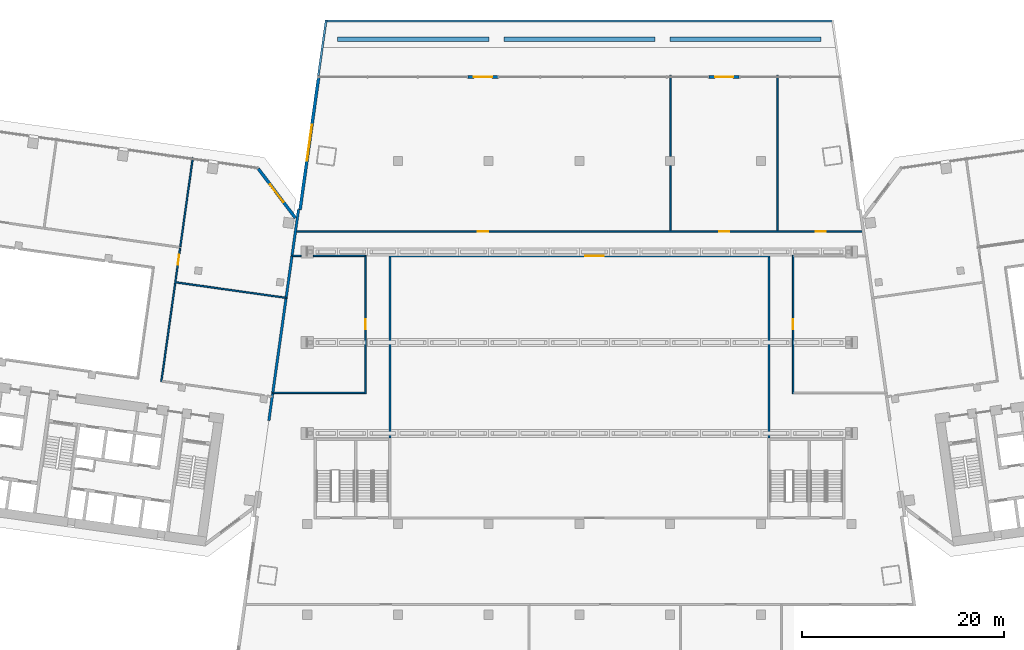
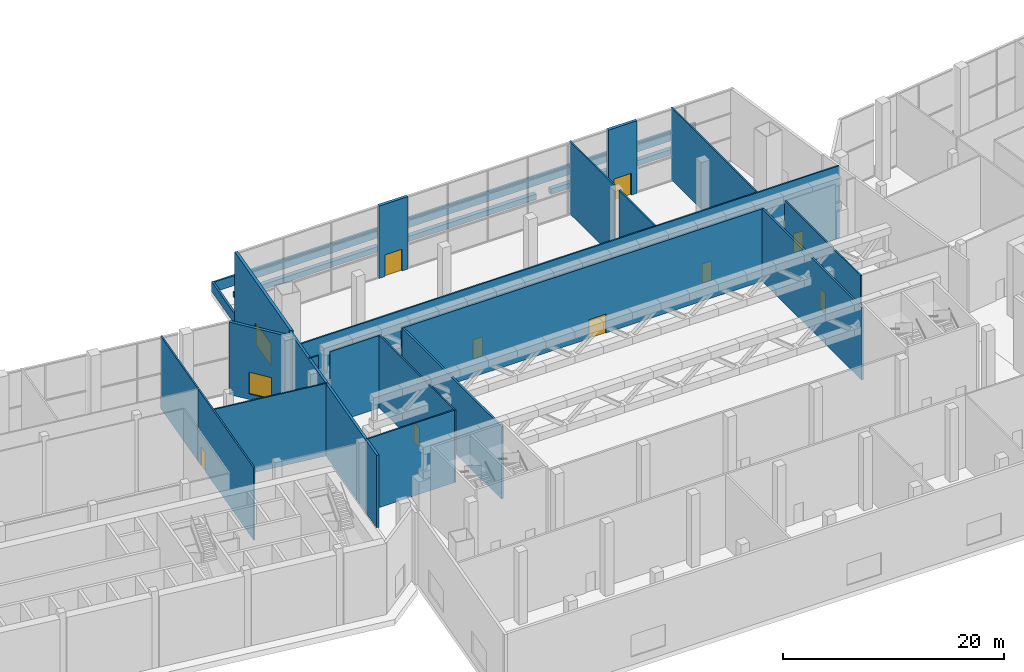
# One storey, part 21 of 31: 25 walls, 9 doors, 2 windows, 11 openings.
"""IFC4 building model written with IfcOpenShell, lengths in metres."""

import ifcopenshell
import ifcopenshell.guid

model = None  # the IFC model being written
_history = None  # IfcOwnerHistory: only IFC2X3 demands one
_inside = {}  # id of a spatial element -> (the spatial element, [elements in it])
_under = {}  # id of a project, library or spatial element -> (it, [spatial elements below it])
_declared = {}  # id of a project -> (the project, [libraries it declares])
_typed = {}  # id of a type object -> (the type object, [elements of that type])
_made_of = {}  # id of a material, layer set ... -> (it, [elements and type objects made of it])


def new_model(schema):
    """Start an empty IFC model of exactly this schema.

    Asked for "IFC4X3", IfcOpenShell would pick the latest addendum, in which some entities
    have other attributes; the version numbers below select the first issue.
    IFC2X3 requires an IfcOwnerHistory on every rooted entity: one is made here for all.
    """
    global model, _history
    if schema == "IFC4X3":
        model = ifcopenshell.file(schema_version=(4, 3, 0, 0))
    else:
        model = ifcopenshell.file(schema=schema)
    _inside.clear()
    _under.clear()
    _declared.clear()
    _typed.clear()
    _made_of.clear()
    _history = None
    if model.schema == "IFC2X3":
        org = make("IfcOrganization", Name="unknown")
        user = make(
            "IfcPersonAndOrganization",
            ThePerson=make("IfcPerson", FamilyName="unknown"),
            TheOrganization=org,
        )
        app = make(
            "IfcApplication",
            ApplicationDeveloper=org,
            Version="unknown",
            ApplicationFullName="unknown",
            ApplicationIdentifier="unknown",
        )
        _history = make(
            "IfcOwnerHistory",
            OwningUser=user,
            OwningApplication=app,
            ChangeAction="ADDED",
            CreationDate=0,
        )
    return model


def make(cls, **values):
    """One entity of the class cls with the attributes given. An attribute that is None is left unset."""
    return model.create_entity(
        cls, **{name: value for name, value in values.items() if value is not None}
    )


def rooted(cls, **values):
    """An entity with a GlobalId (a new one), such as an element, a storey or a relation."""
    return make(cls, GlobalId=ifcopenshell.guid.new(), OwnerHistory=_history, **values)


def si_unit(unit_type, name, prefix=None):
    """IfcSIUnit, for example si_unit("LENGTHUNIT", "METRE", prefix="MILLI")."""
    return make("IfcSIUnit", UnitType=unit_type, Prefix=prefix, Name=name)


def assignment(units):
    """IfcUnitAssignment: the units of a project."""
    return None if units is None else make("IfcUnitAssignment", Units=units)


def point(xyz):
    """IfcCartesianPoint."""
    return None if xyz is None else make("IfcCartesianPoint", Coordinates=xyz)


def direction(xyz):
    """IfcDirection."""
    return None if xyz is None else make("IfcDirection", DirectionRatios=xyz)


def frame(location, z_axis=None, x_axis=None):
    """IfcAxis2Placement3D, a coordinate frame: its origin and axes. An axis left out is left unset."""
    return make(
        "IfcAxis2Placement3D",
        Location=point(location),
        Axis=direction(z_axis),
        RefDirection=direction(x_axis),
    )


def frame_2d(location, x_axis=None):
    """IfcAxis2Placement2D, a coordinate frame in the plane: its origin and x axis."""
    return make(
        "IfcAxis2Placement2D", Location=point(location), RefDirection=direction(x_axis)
    )


def origin():
    """The frame at (0, 0, 0) with its axes left unset."""
    return frame((0.0, 0.0, 0.0))


def place(relative_to, where):
    """IfcLocalPlacement: puts the frame where relative to a parent placement (None: the world)."""
    return make(
        "IfcLocalPlacement", PlacementRelTo=relative_to, RelativePlacement=where
    )


def context(
    kind, dimensions, precision=None, world=None, true_north=None, identifier=None
):
    """IfcGeometricRepresentationContext, for example the 3D "Model" context."""
    return make(
        "IfcGeometricRepresentationContext",
        ContextIdentifier=identifier,
        ContextType=kind,
        CoordinateSpaceDimension=dimensions,
        Precision=precision,
        WorldCoordinateSystem=world,
        TrueNorth=true_north,
    )


def subcontext(parent, identifier, kind, view, scale=None):
    """IfcGeometricRepresentationSubContext, for example "Body" below "Model"."""
    return make(
        "IfcGeometricRepresentationSubContext",
        ContextIdentifier=identifier,
        ContextType=kind,
        ParentContext=parent,
        TargetScale=scale,
        TargetView=view,
    )


def project(units=None, contexts=None):
    """IfcProject with its units and contexts."""
    return rooted(
        "IfcProject",
        Name="project",
        RepresentationContexts=contexts,
        UnitsInContext=assignment(units),
    )


def spatial(cls, under=None, at=None, **own):
    """A site, building, storey or space (cls), placed at a placement, below another one or the project."""
    s = rooted(cls, ObjectPlacement=at, **own)
    if under is not None:
        _under.setdefault(under.id(), (under, []))[1].append(s)
    return s


def profile(cls, at=None, kind="AREA", **sizes):
    """A parametric profile (cls). Its sizes go by their IFC names, for example OverallWidth=200.0."""
    return make(cls, ProfileType=kind, Position=at, **sizes)


def rectangle(**sizes):
    """IfcRectangleProfileDef."""
    return profile("IfcRectangleProfileDef", **sizes)


def extrude(swept, where, along, depth):
    """IfcExtrudedAreaSolid: the profile swept, set in the frame where, extruded along a direction by depth."""
    return make(
        "IfcExtrudedAreaSolid",
        SweptArea=swept,
        Position=where,
        ExtrudedDirection=direction(along),
        Depth=depth,
    )


def shape(context_of_items, identifier, shape_type, items):
    """IfcShapeRepresentation: the items that make up one representation, for example the "Body"."""
    return make(
        "IfcShapeRepresentation",
        ContextOfItems=context_of_items,
        RepresentationIdentifier=identifier,
        RepresentationType=shape_type,
        Items=items,
    )


def material(Name=None, Category=None):
    """IfcMaterial."""
    return make("IfcMaterial", Name=Name, Category=Category)


def layer(
    of_material, thickness, ventilated=None, Name=None, Category=None, Priority=None
):
    """IfcMaterialLayer: one layer of a wall or slab, of a material (None: an air gap)."""
    return make(
        "IfcMaterialLayer",
        Material=of_material,
        LayerThickness=thickness,
        IsVentilated=ventilated,
        Name=Name,
        Category=Category,
        Priority=Priority,
    )


def layer_set(layers, Name=None):
    """IfcMaterialLayerSet."""
    return make("IfcMaterialLayerSet", MaterialLayers=layers, LayerSetName=Name)


def made_of(thing, what):
    """Note that an element or type object is made of a material, layer set ...; save() writes the relation."""
    if what is not None:
        _made_of.setdefault(what.id(), (what, []))[1].append(thing)
    return thing


def type_object(cls, material=None, **own):
    """A type object (cls), such as IfcWallType, which elements share."""
    return made_of(rooted(cls, **own), material)


def element(
    cls,
    number,
    at=None,
    inside=None,
    cuts=None,
    type_object=None,
    material=None,
    context=None,
    identifier="Body",
    shape_type=None,
    held_by="IfcProductDefinitionShape",
    body=None,
    shapes=None,
    **own,
):
    """One element of the class cls, such as IfcWall. Its Tag is "e" and its number.

    at: its placement. inside: the storey or other place that contains it. cuts: it is an
    opening in that element (IfcRelVoidsElement). A single representation is given by context,
    identifier, shape_type and body (its items); several are given by shapes. held_by: the class
    of the entity that holds the representations. save() writes the other relations.
    """
    e = rooted(cls, Tag="e%d" % number, ObjectPlacement=at, **own)
    if body is not None:
        shapes = [shape(context, identifier, shape_type, body)]
    if shapes is not None:
        e.Representation = make(held_by, Representations=shapes)
    if inside is not None:
        _inside.setdefault(inside.id(), (inside, []))[1].append(e)
    if cuts is not None:
        rooted(
            "IfcRelVoidsElement", RelatingBuildingElement=cuts, RelatedOpeningElement=e
        )
    if type_object is not None:
        _typed.setdefault(type_object.id(), (type_object, []))[1].append(e)
    return made_of(e, material)


def fill(opening, filler):
    """IfcRelFillsElement: the door or window that sits in an opening."""
    return rooted(
        "IfcRelFillsElement",
        RelatingOpeningElement=opening,
        RelatedBuildingElement=filler,
    )


def aggregate(whole, parts):
    """IfcRelAggregates: a whole, such as a stair, and the parts it consists of."""
    return rooted("IfcRelAggregates", RelatingObject=whole, RelatedObjects=parts)


def save(model, path):
    """Write the relations noted so far, then the file.

    IfcRelAggregates (storeys below a building ...), IfcRelContainedInSpatialStructure (elements
    in a storey), IfcRelDefinesByType, IfcRelAssociatesMaterial and IfcRelDeclares: one each for
    every whole, place, type object, material and project.
    """
    for whole, parts in _under.values():
        aggregate(whole, parts)
    for where, things in _inside.values():
        rooted(
            "IfcRelContainedInSpatialStructure",
            RelatedElements=things,
            RelatingStructure=where,
        )
    for kind, things in _typed.values():
        rooted("IfcRelDefinesByType", RelatedObjects=things, RelatingType=kind)
    for what, things in _made_of.values():
        rooted("IfcRelAssociatesMaterial", RelatedObjects=things, RelatingMaterial=what)
    for by, libraries in _declared.values():
        rooted("IfcRelDeclares", RelatingContext=by, RelatedDefinitions=libraries)
    model.write(path)


model = new_model("IFC4")

# Units and contexts
model_context = context("Model", 3, precision=1e-05, world=origin(), true_north=direction((0.0, 1.0)))
body_context = subcontext(model_context, "Body", "Model", "MODEL_VIEW")
ifc_project = project(units=[si_unit("LENGTHUNIT", "METRE"), si_unit("AREAUNIT", "SQUARE_METRE"), si_unit("VOLUMEUNIT", "CUBIC_METRE"), si_unit("PLANEANGLEUNIT", "RADIAN"), si_unit("MASSUNIT", "GRAM", prefix="KILO")], contexts=[model_context])

# Site, building, storey
site_placement = place(None, origin())
site = spatial("IfcSite", under=ifc_project, at=site_placement, CompositionType="ELEMENT")
building_placement = place(site_placement, origin())
building = spatial("IfcBuilding", under=site, at=building_placement, Name="Mirante Cascada Hotel Towers", CompositionType="ELEMENT")
storey_placement = place(building_placement, frame((0.0, 0.0, 9.0)))
storey = spatial("IfcBuildingStorey", under=building, at=storey_placement, Name="L01", CompositionType="ELEMENT", Elevation=9.0)

# Walls
ifc_material_1 = material(Name="Masonry block", Category="masonry")
ifc_layer_1 = layer(ifc_material_1, 0.15)
ifc_layer_set_1 = layer_set([ifc_layer_1], Name="Corridor wall 150 block")
wall_type_1 = type_object("IfcWallType", Name="Corridor wall 150 block", PredefinedType="PARTITIONING", material=ifc_layer_set_1)
wall_1_placement = place(storey_placement, frame((-30.4216, -5.0, 0.0), z_axis=(0.0, 0.0, 1.0), x_axis=(1.0, 0.0, 0.0)))
element("IfcWall", 1, at=wall_1_placement, inside=storey, type_object=wall_type_1, Name="Corridor wall P L01", PredefinedType="PARTITIONING", context=body_context, shape_type="SweptSolid", body=[
    extrude(rectangle(XDim=9.1466, YDim=0.15, at=frame_2d((4.5733, 0.0))), origin(), (0.0, 0.0, 1.0), 8.0),
])
wall_2_placement = place(storey_placement, frame((-28.5103, 8.6, 0.0), z_axis=(0.0, 0.0, 1.0), x_axis=(1.0, 0.0, 0.0)))
element("IfcWall", 2, at=wall_2_placement, inside=storey, type_object=wall_type_1, Name="Corridor wall P L01", PredefinedType="PARTITIONING", context=body_context, shape_type="SweptSolid", body=[
    extrude(rectangle(XDim=0.9103, YDim=0.15, at=frame_2d((0.4552, 0.0))), origin(), (0.0, 0.0, 1.0), 8.0),
])

# Wall, openings, doors
wall_3_placement = place(storey_placement, frame((-28.173, 11.0, 0.0), z_axis=(0.0, 0.0, 1.0), x_axis=(1.0, 0.0, 0.0)))
wall_3 = element("IfcWall", 3, at=wall_3_placement, inside=storey, type_object=wall_type_1, Name="Corridor wall P L01", PredefinedType="PARTITIONING", context=body_context, shape_type="SweptSolid", body=[
    extrude(rectangle(XDim=56.346, YDim=0.15, at=frame_2d((28.173, 0.0))), origin(), (0.0, 0.0, 1.0), 8.0),
])
opening_1_placement = place(wall_3_placement, frame((18.1048, 0.0, 0.0)))
opening_1 = element("IfcOpeningElement", 4, at=opening_1_placement, cuts=wall_3, Name="Opening DP-L01-13", PredefinedType="OPENING", context=body_context, shape_type="SweptSolid", body=[
    extrude(rectangle(XDim=1.0, YDim=2.1, at=frame_2d((0.5, 1.05))), frame((0.0, 0.075, 0.0), z_axis=(0.0, -1.0, 0.0), x_axis=(1.0, 0.0, 0.0)), (0.0, 0.0, 1.0), 0.15),
])
opening_2_placement = place(wall_3_placement, frame((42.0252, 0.0, 0.0)))
opening_2 = element("IfcOpeningElement", 5, at=opening_2_placement, cuts=wall_3, Name="Opening DP-L01-14", PredefinedType="OPENING", context=body_context, shape_type="SweptSolid", body=[
    extrude(rectangle(XDim=1.0, YDim=2.1, at=frame_2d((0.5, 1.05))), frame((0.0, 0.075, 0.0), z_axis=(0.0, -1.0, 0.0), x_axis=(1.0, 0.0, 0.0)), (0.0, 0.0, 1.0), 0.15),
])
opening_3_placement = place(wall_3_placement, frame((51.5934, 0.0, 0.0)))
opening_3 = element("IfcOpeningElement", 6, at=opening_3_placement, cuts=wall_3, Name="Opening DP-L01-15", PredefinedType="OPENING", context=body_context, shape_type="SweptSolid", body=[
    extrude(rectangle(XDim=1.0, YDim=2.1, at=frame_2d((0.5, 1.05))), frame((0.0, 0.075, 0.0), z_axis=(0.0, -1.0, 0.0), x_axis=(1.0, 0.0, 0.0)), (0.0, 0.0, 1.0), 0.15),
])
ifc_material_2 = material(Name="Timber door leaf", Category="wood")
door_type_1 = type_object("IfcDoorType", Name="Single door 1000x2100", OperationType="NOTDEFINED", PredefinedType="DOOR", material=ifc_material_2)
door_1_placement = place(opening_1_placement, frame((1.0, 0.0, 0.0), z_axis=(0.0, 0.0, 1.0), x_axis=(-1.0, 0.0, 0.0)))
door_1 = element("IfcDoor", 7, at=door_1_placement, inside=storey, type_object=door_type_1, Name="Door DP-L01-13", OperationType="SINGLE_SWING_LEFT", OverallHeight=2.1, OverallWidth=1.0, PredefinedType="DOOR", context=body_context, shape_type="SweptSolid", body=[
    extrude(rectangle(XDim=1.0, YDim=2.1, at=frame_2d((0.5, 1.05))), frame((0.0, 0.025, 0.0), z_axis=(0.0, -1.0, 0.0), x_axis=(1.0, 0.0, 0.0)), (0.0, 0.0, 1.0), 0.05),
])
fill(opening_1, door_1)
door_2_placement = place(opening_2_placement, origin())
door_2 = element("IfcDoor", 8, at=door_2_placement, inside=storey, type_object=door_type_1, Name="Door DP-L01-14", OperationType="SINGLE_SWING_RIGHT", OverallHeight=2.1, OverallWidth=1.0, PredefinedType="DOOR", context=body_context, shape_type="SweptSolid", body=[
    extrude(rectangle(XDim=1.0, YDim=2.1, at=frame_2d((0.5, 1.05))), frame((0.0, 0.025, 0.0), z_axis=(0.0, -1.0, 0.0), x_axis=(1.0, 0.0, 0.0)), (0.0, 0.0, 1.0), 0.05),
])
fill(opening_2, door_2)
door_3_placement = place(opening_3_placement, origin())
door_3 = element("IfcDoor", 9, at=door_3_placement, inside=storey, type_object=door_type_1, Name="Door DP-L01-15", OperationType="SINGLE_SWING_LEFT", OverallHeight=2.1, OverallWidth=1.0, PredefinedType="DOOR", context=body_context, shape_type="SweptSolid", body=[
    extrude(rectangle(XDim=1.0, YDim=2.1, at=frame_2d((0.5, 1.05))), frame((0.0, 0.025, 0.0), z_axis=(0.0, -1.0, 0.0), x_axis=(1.0, 0.0, 0.0)), (0.0, 0.0, 1.0), 0.05),
])
fill(opening_3, door_3)

# Wall, opening, door
wall_4_placement = place(storey_placement, frame((21.2, -5.085, 0.0), z_axis=(0.0, 0.0, 1.0), x_axis=(0.0, 1.0, 0.0)))
wall_4 = element("IfcWall", 10, at=wall_4_placement, inside=storey, type_object=wall_type_1, Name="Corridor wall P L01", PredefinedType="PARTITIONING", context=body_context, shape_type="SweptSolid", body=[
    extrude(rectangle(XDim=13.76, YDim=0.15, at=frame_2d((6.88, 0.0))), origin(), (0.0, 0.0, 1.0), 8.0),
])
opening_4_placement = place(wall_4_placement, frame((6.385, 0.0, 0.0)))
opening_4 = element("IfcOpeningElement", 11, at=opening_4_placement, cuts=wall_4, Name="Opening DP-L01-08", PredefinedType="OPENING", context=body_context, shape_type="SweptSolid", body=[
    extrude(rectangle(XDim=1.0, YDim=2.1, at=frame_2d((0.5, 1.05))), frame((0.0, 0.075, 0.0), z_axis=(0.0, -1.0, 0.0), x_axis=(1.0, 0.0, 0.0)), (0.0, 0.0, 1.0), 0.15),
])
door_4_placement = place(opening_4_placement, frame((1.0, 0.0, 0.0), z_axis=(0.0, 0.0, 1.0), x_axis=(-1.0, 0.0, 0.0)))
door_4 = element("IfcDoor", 12, at=door_4_placement, inside=storey, type_object=door_type_1, Name="Door DP-L01-08", OperationType="SINGLE_SWING_RIGHT", OverallHeight=2.1, OverallWidth=1.0, PredefinedType="DOOR", context=body_context, shape_type="SweptSolid", body=[
    extrude(rectangle(XDim=1.0, YDim=2.1, at=frame_2d((0.5, 1.05))), frame((0.0, 0.025, 0.0), z_axis=(0.0, -1.0, 0.0), x_axis=(1.0, 0.0, 0.0)), (0.0, 0.0, 1.0), 0.05),
])
fill(opening_4, door_4)

wall_5_placement = place(storey_placement, frame((-21.2, -5.085, 0.0), z_axis=(0.0, 0.0, 1.0), x_axis=(0.0, 1.0, 0.0)))
wall_5 = element("IfcWall", 13, at=wall_5_placement, inside=storey, type_object=wall_type_1, Name="Corridor wall P L01", PredefinedType="PARTITIONING", context=body_context, shape_type="SweptSolid", body=[
    extrude(rectangle(XDim=13.76, YDim=0.15, at=frame_2d((6.88, 0.0))), origin(), (0.0, 0.0, 1.0), 8.0),
])
opening_5_placement = place(wall_5_placement, frame((6.385, 0.0, 0.0)))
opening_5 = element("IfcOpeningElement", 14, at=opening_5_placement, cuts=wall_5, Name="Opening DP-L01-07", PredefinedType="OPENING", context=body_context, shape_type="SweptSolid", body=[
    extrude(rectangle(XDim=1.0, YDim=2.1, at=frame_2d((0.5, 1.05))), frame((0.0, 0.075, 0.0), z_axis=(0.0, -1.0, 0.0), x_axis=(1.0, 0.0, 0.0)), (0.0, 0.0, 1.0), 0.15),
])
door_5_placement = place(opening_5_placement, origin())
door_5 = element("IfcDoor", 15, at=door_5_placement, inside=storey, type_object=door_type_1, Name="Door DP-L01-07", OperationType="SINGLE_SWING_LEFT", OverallHeight=2.1, OverallWidth=1.0, PredefinedType="DOOR", context=body_context, shape_type="SweptSolid", body=[
    extrude(rectangle(XDim=1.0, YDim=2.1, at=frame_2d((0.5, 1.05))), frame((0.0, 0.025, 0.0), z_axis=(0.0, -1.0, 0.0), x_axis=(1.0, 0.0, 0.0)), (0.0, 0.0, 1.0), 0.05),
])
fill(opening_5, door_5)

wall_6_placement = place(storey_placement, frame((-41.4756, -3.8964, 0.0), z_axis=(0.0, 0.0, 1.0), x_axis=(0.1391716, 0.9902683, 0.0)))
wall_6 = element("IfcWall", 16, at=wall_6_placement, inside=storey, type_object=wall_type_1, Name="Corridor wall T1 L01", PredefinedType="PARTITIONING", context=body_context, shape_type="SweptSolid", body=[
    extrude(rectangle(XDim=13.4, YDim=0.15, at=frame_2d((6.7, 0.0))), origin(), (0.0, 0.0, 1.0), 8.0),
])
opening_6_placement = place(wall_6_placement, frame((11.7325, 0.0, 0.0)))
opening_6 = element("IfcOpeningElement", 17, at=opening_6_placement, cuts=wall_6, Name="Opening DP1-L01-02", PredefinedType="OPENING", context=body_context, shape_type="SweptSolid", body=[
    extrude(rectangle(XDim=1.0, YDim=2.1, at=frame_2d((0.5, 1.05))), frame((0.0, 0.075, 0.0), z_axis=(0.0, -1.0, 0.0), x_axis=(1.0, 0.0, 0.0)), (0.0, 0.0, 1.0), 0.15),
])
door_6_placement = place(opening_6_placement, frame((1.0, 0.0, 0.0), z_axis=(0.0, 0.0, 1.0), x_axis=(-1.0, 0.0, 0.0)))
door_6 = element("IfcDoor", 18, at=door_6_placement, inside=storey, type_object=door_type_1, Name="Door DP1-L01-02", OperationType="SINGLE_SWING_RIGHT", OverallHeight=2.1, OverallWidth=1.0, PredefinedType="DOOR", context=body_context, shape_type="SweptSolid", body=[
    extrude(rectangle(XDim=1.0, YDim=2.1, at=frame_2d((0.5, 1.05))), frame((0.0, 0.025, 0.0), z_axis=(0.0, -1.0, 0.0), x_axis=(1.0, 0.0, 0.0)), (0.0, 0.0, 1.0), 0.05),
])
fill(opening_6, door_6)

# Wall
wall_7_placement = place(storey_placement, frame((-26.4, 8.6, 0.0), z_axis=(0.0, 0.0, 1.0), x_axis=(1.0, 0.0, 0.0)))
element("IfcWall", 19, at=wall_7_placement, inside=storey, type_object=wall_type_1, Name="Corridor wall P L01", PredefinedType="PARTITIONING", context=body_context, shape_type="SweptSolid", body=[
    extrude(rectangle(XDim=5.135, YDim=0.15, at=frame_2d((2.5675, 0.0))), origin(), (0.0, 0.0, 1.0), 8.0),
])

# Wall, opening, door
ifc_material_3 = material(Name="Masonry block", Category="masonry")
ifc_layer_2 = layer(ifc_material_3, 0.2)
ifc_layer_set_2 = layer_set([ifc_layer_2], Name="Hall wall 200 block")
wall_type_2 = type_object("IfcWallType", Name="Hall wall 200 block", PredefinedType="PARTITIONING", material=ifc_layer_set_2)
wall_8_placement = place(storey_placement, frame((-18.91, 8.6, 0.0), z_axis=(0.0, 0.0, 1.0), x_axis=(1.0, 0.0, 0.0)))
wall_8 = element("IfcWall", 20, at=wall_8_placement, inside=storey, type_object=wall_type_2, Name="Hall wall P L01", PredefinedType="PARTITIONING", context=body_context, shape_type="SweptSolid", body=[
    extrude(rectangle(XDim=37.82, YDim=0.2, at=frame_2d((18.91, 0.0))), origin(), (0.0, 0.0, 1.0), 8.0),
])
opening_7_placement = place(wall_8_placement, frame((19.51, 0.0, 0.0)))
opening_7 = element("IfcOpeningElement", 21, at=opening_7_placement, cuts=wall_8, Name="Opening DP-L01-06", PredefinedType="OPENING", context=body_context, shape_type="SweptSolid", body=[
    extrude(rectangle(XDim=1.8, YDim=2.1, at=frame_2d((0.9, 1.05))), frame((0.0, 0.1, 0.0), z_axis=(0.0, -1.0, 0.0), x_axis=(1.0, 0.0, 0.0)), (0.0, 0.0, 1.0), 0.2),
])
ifc_material_4 = material(Name="Timber door leaf", Category="wood")
door_type_2 = type_object("IfcDoorType", Name="Double door 1800x2100", OperationType="DOUBLE_DOOR_SINGLE_SWING", PredefinedType="DOOR", material=ifc_material_4)
door_7_placement = place(opening_7_placement, origin())
door_7 = element("IfcDoor", 22, at=door_7_placement, inside=storey, type_object=door_type_2, Name="Door DP-L01-06", OperationType="DOUBLE_DOOR_SINGLE_SWING", OverallHeight=2.1, OverallWidth=1.8, PredefinedType="DOOR", context=body_context, shape_type="SweptSolid", body=[
    extrude(rectangle(XDim=0.895, YDim=2.1, at=frame_2d((0.4475, 1.05))), frame((0.0, 0.025, 0.0), z_axis=(0.0, -1.0, 0.0), x_axis=(1.0, 0.0, 0.0)), (0.0, 0.0, 1.0), 0.05),
    extrude(rectangle(XDim=0.895, YDim=2.1, at=frame_2d((1.3525, 1.05))), frame((0.0, 0.025, 0.0), z_axis=(0.0, -1.0, 0.0), x_axis=(1.0, 0.0, 0.0)), (0.0, 0.0, 1.0), 0.05),
])
fill(opening_7, door_7)

# Walls
for number, where, z_axis, x_axis, name in (
    (23, (18.8, -9.475, 0.0), (0.0, 0.0, 1.0), (0.0, 1.0, 0.0), "Hall wall P L01"),
    (24, (-18.8, -9.475, 0.0), (0.0, 0.0, 1.0), (0.0, 1.0, 0.0), "Hall wall P L01"),
):
    element("IfcWall", number, at=place(storey_placement, frame(where, z_axis=z_axis, x_axis=x_axis)), inside=storey, type_object=wall_type_2, Name=name, PredefinedType="PARTITIONING", context=body_context, shape_type="SweptSolid", body=[
        extrude(rectangle(XDim=17.975, YDim=0.2, at=frame_2d((8.9875, 0.0))), origin(), (0.0, 0.0, 1.0), 8.0),
    ])
ifc_material_5 = material(Name="Masonry block", Category="masonry")
ifc_layer_3 = layer(ifc_material_5, 0.15)
ifc_layer_set_3 = layer_set([ifc_layer_3], Name="Partition 150 block")
wall_type_3 = type_object("IfcWallType", Name="Partition 150 block", PredefinedType="PARTITIONING", material=ifc_layer_set_3)
wall_9_placement = place(storey_placement, frame((19.6679, 11.075, 0.0), z_axis=(0.0, 0.0, 1.0), x_axis=(0.0, 1.0, 0.0)))
element("IfcWall", 25, at=wall_9_placement, inside=storey, type_object=wall_type_3, Name="Partition P L01", PredefinedType="PARTITIONING", context=body_context, shape_type="SweptSolid", body=[
    extrude(rectangle(XDim=15.425, YDim=0.15, at=frame_2d((7.7125, 0.0))), origin(), (0.0, 0.0, 1.0), 8.0),
])
wall_10_placement = place(storey_placement, frame((9.0366, 11.075, 0.0), z_axis=(0.0, 0.0, 1.0), x_axis=(0.0, 1.0, 0.0)))
element("IfcWall", 26, at=wall_10_placement, inside=storey, type_object=wall_type_3, Name="Partition P L01", PredefinedType="PARTITIONING", context=body_context, shape_type="SweptSolid", body=[
    extrude(rectangle(XDim=6.475, YDim=0.15, at=frame_2d((3.2375, 0.0))), origin(), (0.0, 0.0, 1.0), 8.0),
])
wall_11_placement = place(storey_placement, frame((-40.0131, 5.9711, 0.0), z_axis=(0.0, 0.0, 1.0), x_axis=(0.9902679, -0.1391746, 0.0)))
element("IfcWall", 27, at=wall_11_placement, inside=storey, type_object=wall_type_3, Name="Partition T1 L01", PredefinedType="PARTITIONING", context=body_context, shape_type="SweptSolid", body=[
    extrude(rectangle(XDim=11.025, YDim=0.15, at=frame_2d((5.5125, 0.0))), origin(), (0.0, 0.0, 1.0), 8.0),
])
wall_12_placement = place(storey_placement, frame((-39.5912, 9.5119, 0.0), z_axis=(0.0, 0.0, 1.0), x_axis=(0.1391725, 0.9902682, 0.0)))
element("IfcWall", 28, at=wall_12_placement, inside=storey, type_object=wall_type_3, Name="Partition T1 L01", PredefinedType="PARTITIONING", context=body_context, shape_type="SweptSolid", body=[
    extrude(rectangle(XDim=8.935, YDim=0.15, at=frame_2d((4.4675, 0.0))), origin(), (0.0, 0.0, 1.0), 8.0),
])
wall_13_placement = place(storey_placement, frame((9.0366, 18.45, 0.0), z_axis=(0.0, 0.0, 1.0), x_axis=(0.0, 1.0, 0.0)))
element("IfcWall", 29, at=wall_13_placement, inside=storey, type_object=wall_type_3, Name="Partition P L01", PredefinedType="PARTITIONING", context=body_context, shape_type="SweptSolid", body=[
    extrude(rectangle(XDim=8.05, YDim=0.15, at=frame_2d((4.025, 0.0))), origin(), (0.0, 0.0, 1.0), 8.0),
])
ifc_material_6 = material(Name="Masonry block", Category="masonry")
ifc_layer_4 = layer(ifc_material_6, 0.25)
ifc_layer_set_4 = layer_set([ifc_layer_4], Name="Plant room wall 250 block EI 120")
wall_type_4 = type_object("IfcWallType", Name="Plant room wall 250 block EI 120", PredefinedType="PARTITIONING", material=ifc_layer_set_4)
wall_14_placement = place(storey_placement, frame((-30.8072, -7.7436, 0.0), z_axis=(0.0, 0.0, 1.0), x_axis=(0.1391722, 0.9902682, 0.0)))
element("IfcWall", 30, at=wall_14_placement, inside=storey, type_object=wall_type_4, Name="Compartment wall T1 L01", PredefinedType="PARTITIONING", context=body_context, shape_type="SweptSolid", body=[
    extrude(rectangle(XDim=21.1486, YDim=0.25, at=frame_2d((10.5743, 0.0))), origin(), (0.0, 0.0, 1.0), 8.0),
])
ifc_material_7 = material(Name="Precast concrete C40/50", Category="concrete")
ifc_layer_5 = layer(ifc_material_7, 0.45)
ifc_layer_set_5 = layer_set([ifc_layer_5], Name="Planter wall 450 concrete C40/50")
wall_type_5 = type_object("IfcWallType", Name="Planter wall 450 concrete C40/50", PredefinedType="PARAPET", material=ifc_layer_set_5)
for number, where, z_axis, x_axis, name in (
    (31, (-23.9739, 30.1, 0.0), (0.0, 0.0, 1.0), (1.0, 0.0, 0.0), "PLANTER podium L00 bed 1.1"),
    (32, (-7.4913, 30.1, 0.0), (0.0, 0.0, 1.0), (1.0, 0.0, 0.0), "PLANTER podium L00 bed 1.2"),
    (33, (8.9913, 30.1, 0.0), (0.0, 0.0, 1.0), (1.0, 0.0, 0.0), "PLANTER podium L00 bed 1.3"),
):
    element("IfcWall", number, at=place(storey_placement, frame(where, z_axis=z_axis, x_axis=x_axis)), inside=storey, type_object=wall_type_5, Name=name, PredefinedType="PARAPET", context=body_context, shape_type="SweptSolid", body=[
        extrude(rectangle(XDim=14.9826, YDim=0.45, at=frame_2d((7.4913, 0.0))), origin(), (0.0, 0.0, 1.0), 0.6),
    ])

# Wall, opening, window
ifc_material_8 = material(Name="Precast concrete C40/50", Category="concrete")
ifc_layer_6 = layer(ifc_material_8, 0.3)
ifc_layer_set_6 = layer_set([ifc_layer_6], Name="Precast concrete C40/50 cladding wall 300")
wall_type_6 = type_object("IfcWallType", Name="Precast concrete C40/50 cladding wall 300", PredefinedType="STANDARD", material=ifc_layer_set_6)
wall_15_placement = place(storey_placement, frame((-31.857, 17.252, 0.0), z_axis=(0.0, 0.0, 1.0), x_axis=(0.6018141, -0.7986362, 0.0)))
wall_15 = element("IfcWall", 34, at=wall_15_placement, inside=storey, type_object=wall_type_6, Name="Corner cladding wall T1 L01 front inner", PredefinedType="STANDARD", context=body_context, shape_type="SweptSolid", body=[
    extrude(rectangle(XDim=6.1157, YDim=0.3, at=frame_2d((3.0578, 0.0))), origin(), (0.0, 0.0, 1.0), 8.0),
])
opening_8_placement = place(wall_15_placement, frame((1.9578, 0.0, 0.6)))
opening_8 = element("IfcOpeningElement", 35, at=opening_8_placement, cuts=wall_15, Name="Opening W1-01-04", PredefinedType="OPENING", context=body_context, shape_type="SweptSolid", body=[
    extrude(rectangle(XDim=2.2, YDim=2.4, at=frame_2d((1.1, 1.2))), frame((0.0, 0.15, 0.0), z_axis=(0.0, -1.0, 0.0), x_axis=(1.0, 0.0, 0.0)), (0.0, 0.0, 1.0), 0.3),
])
ifc_material_9 = material(Name="Aluminium frame with clear double glazing", Category="aluminium")
window_type_1 = type_object("IfcWindowType", Name="Corner suite window 2200x2400", PartitioningType="DOUBLE_PANEL_VERTICAL", PredefinedType="WINDOW", material=ifc_material_9)
window_1_placement = place(opening_8_placement, origin())
window_1 = element("IfcWindow", 36, at=window_1_placement, inside=storey, type_object=window_type_1, Name="Window W1-01-04", OverallHeight=2.4, OverallWidth=2.2, PartitioningType="SINGLE_PANEL", PredefinedType="WINDOW", context=body_context, shape_type="SweptSolid", body=[
    extrude(rectangle(XDim=2.2, YDim=2.4, at=frame_2d((1.1, 1.2))), frame((0.0, 0.03, 0.0), z_axis=(0.0, -1.0, 0.0), x_axis=(1.0, 0.0, 0.0)), (0.0, 0.0, 1.0), 0.06),
])
fill(opening_8, window_1)

# Wall, opening, door
wall_16_placement = place(storey_placement, frame((15.852, 26.35, 0.0), z_axis=(0.0, 0.0, 1.0), x_axis=(-1.0, 0.0, 0.0)))
wall_16 = element("IfcWall", 37, at=wall_16_placement, inside=storey, type_object=wall_type_6, Name="Entrance pier wall L01 P:L01:4:2", PredefinedType="STANDARD", context=body_context, shape_type="SweptSolid", body=[
    extrude(rectangle(XDim=3.0, YDim=0.3, at=frame_2d((1.5, 0.0))), origin(), (0.0, 0.0, 1.0), 8.0),
])
opening_9_placement = place(wall_16_placement, frame((0.6, 0.0, 0.0)))
opening_9 = element("IfcOpeningElement", 38, at=opening_9_placement, cuts=wall_16, Name="Opening DP-01-91", PredefinedType="OPENING", context=body_context, shape_type="SweptSolid", body=[
    extrude(rectangle(XDim=1.8, YDim=2.4, at=frame_2d((0.9, 1.2))), frame((0.0, 0.15, 0.0), z_axis=(0.0, -1.0, 0.0), x_axis=(1.0, 0.0, 0.0)), (0.0, 0.0, 1.0), 0.3),
])
ifc_material_10 = material(Name="Aluminium frame with clear laminated glazing", Category="aluminium")
door_type_3 = type_object("IfcDoorType", Name="Terrace double door 1800x2400", OperationType="DOUBLE_DOOR_SINGLE_SWING", PredefinedType="DOOR", material=ifc_material_10)
door_8_placement = place(opening_9_placement, origin())
door_8 = element("IfcDoor", 39, at=door_8_placement, inside=storey, type_object=door_type_3, Name="Event office door DP-01-91", OperationType="DOUBLE_DOOR_SINGLE_SWING", OverallHeight=2.4, OverallWidth=1.8, PredefinedType="DOOR", context=body_context, shape_type="SweptSolid", body=[
    extrude(rectangle(XDim=0.895, YDim=2.4, at=frame_2d((0.4475, 1.2))), frame((0.0, 0.025, 0.0), z_axis=(0.0, -1.0, 0.0), x_axis=(1.0, 0.0, 0.0)), (0.0, 0.0, 1.0), 0.05),
    extrude(rectangle(XDim=0.895, YDim=2.4, at=frame_2d((1.3525, 1.2))), frame((0.0, 0.025, 0.0), z_axis=(0.0, -1.0, 0.0), x_axis=(1.0, 0.0, 0.0)), (0.0, 0.0, 1.0), 0.05),
])
fill(opening_9, door_8)

wall_17_placement = place(storey_placement, frame((-8.068, 26.35, 0.0), z_axis=(0.0, 0.0, 1.0), x_axis=(-1.0, 0.0, 0.0)))
wall_17 = element("IfcWall", 40, at=wall_17_placement, inside=storey, type_object=wall_type_6, Name="Entrance pier wall L01 P:L01:4:4", PredefinedType="STANDARD", context=body_context, shape_type="SweptSolid", body=[
    extrude(rectangle(XDim=3.0, YDim=0.3, at=frame_2d((1.5, 0.0))), origin(), (0.0, 0.0, 1.0), 8.0),
])
opening_10_placement = place(wall_17_placement, frame((0.6, 0.0, 0.0)))
opening_10 = element("IfcOpeningElement", 41, at=opening_10_placement, cuts=wall_17, Name="Opening DP-01-92", PredefinedType="OPENING", context=body_context, shape_type="SweptSolid", body=[
    extrude(rectangle(XDim=1.8, YDim=2.4, at=frame_2d((0.9, 1.2))), frame((0.0, 0.15, 0.0), z_axis=(0.0, -1.0, 0.0), x_axis=(1.0, 0.0, 0.0)), (0.0, 0.0, 1.0), 0.3),
])
door_9_placement = place(opening_10_placement, origin())
door_9 = element("IfcDoor", 42, at=door_9_placement, inside=storey, type_object=door_type_3, Name="Junior ballroom door DP-01-92", OperationType="DOUBLE_DOOR_SINGLE_SWING", OverallHeight=2.4, OverallWidth=1.8, PredefinedType="DOOR", context=body_context, shape_type="SweptSolid", body=[
    extrude(rectangle(XDim=0.895, YDim=2.4, at=frame_2d((0.4475, 1.2))), frame((0.0, 0.025, 0.0), z_axis=(0.0, -1.0, 0.0), x_axis=(1.0, 0.0, 0.0)), (0.0, 0.0, 1.0), 0.05),
    extrude(rectangle(XDim=0.895, YDim=2.4, at=frame_2d((1.3525, 1.2))), frame((0.0, 0.025, 0.0), z_axis=(0.0, -1.0, 0.0), x_axis=(1.0, 0.0, 0.0)), (0.0, 0.0, 1.0), 0.05),
])
fill(opening_10, door_9)

# Wall, opening, window
wall_18_placement = place(storey_placement, frame((-25.8461, 26.4791, 0.0), z_axis=(0.0, 0.0, 1.0), x_axis=(-0.1391727, -0.9902681, 0.0)))
wall_18 = element("IfcWall", 43, at=wall_18_placement, inside=storey, type_object=wall_type_6, Name="Podium cladding wall L01 P:L01:5", PredefinedType="STANDARD", context=body_context, shape_type="SweptSolid", body=[
    extrude(rectangle(XDim=13.4315, YDim=0.3, at=frame_2d((6.7158, 0.0))), origin(), (0.0, 0.0, 1.0), 8.0),
])
opening_11_placement = place(wall_18_placement, frame((4.9158, 0.0, 0.9)))
opening_11 = element("IfcOpeningElement", 44, at=opening_11_placement, cuts=wall_18, Name="Opening WP-01-08", PredefinedType="OPENING", context=body_context, shape_type="SweptSolid", body=[
    extrude(rectangle(XDim=3.6, YDim=2.4, at=frame_2d((1.8, 1.2))), frame((0.0, 0.15, 0.0), z_axis=(0.0, -1.0, 0.0), x_axis=(1.0, 0.0, 0.0)), (0.0, 0.0, 1.0), 0.3),
])
ifc_material_11 = material(Name="Aluminium frame with clear double glazing", Category="aluminium")
window_type_2 = type_object("IfcWindowType", Name="Podium punched window 3600x2400", PartitioningType="DOUBLE_PANEL_VERTICAL", PredefinedType="WINDOW", material=ifc_material_11)
window_2_placement = place(opening_11_placement, origin())
window_2 = element("IfcWindow", 45, at=window_2_placement, inside=storey, type_object=window_type_2, Name="Window WP-01-08", OverallHeight=2.4, OverallWidth=3.6, PartitioningType="SINGLE_PANEL", PredefinedType="WINDOW", context=body_context, shape_type="SweptSolid", body=[
    extrude(rectangle(XDim=3.6, YDim=2.4, at=frame_2d((1.8, 1.2))), frame((0.0, 0.03, 0.0), z_axis=(0.0, -1.0, 0.0), x_axis=(1.0, 0.0, 0.0)), (0.0, 0.0, 1.0), 0.06),
])
fill(opening_11, window_2)

# Walls
ifc_material_12 = material(Name="Precast concrete C40/50", Category="concrete")
ifc_layer_7 = layer(ifc_material_12, 0.2)
ifc_layer_set_7 = layer_set([ifc_layer_7], Name="Terrace parapet wall 200 concrete C40/50")
wall_type_7 = type_object("IfcWallType", Name="Terrace parapet wall 200 concrete C40/50", PredefinedType="PARAPET", material=ifc_layer_set_7)
wall_19_placement = place(storey_placement, frame((-25.1226, 31.9861, 0.0), z_axis=(0.0, 0.0, 1.0), x_axis=(-0.1391776, -0.9902674, 0.0)))
element("IfcWall", 46, at=wall_19_placement, inside=storey, type_object=wall_type_7, Name="Terrace parapet podium L00 1.1.1", PredefinedType="PARAPET", context=body_context, shape_type="SweptSolid", body=[
    extrude(rectangle(XDim=5.5541, YDim=0.2, at=frame_2d((2.777, 0.0))), origin(), (0.0, 0.0, 1.0), 1.1),
])
wall_20_placement = place(storey_placement, frame((25.2216, 31.9, 0.0), z_axis=(0.0, 0.0, 1.0), x_axis=(-1.0, 0.0, 0.0)))
element("IfcWall", 47, at=wall_20_placement, inside=storey, type_object=wall_type_7, Name="Terrace parapet podium L00 1.3.1", PredefinedType="PARAPET", context=body_context, shape_type="SweptSolid", body=[
    extrude(rectangle(XDim=50.4432, YDim=0.2, at=frame_2d((25.2216, 0.0))), origin(), (0.0, 0.0, 1.0), 1.1),
])

save(model, "model.ifc")
